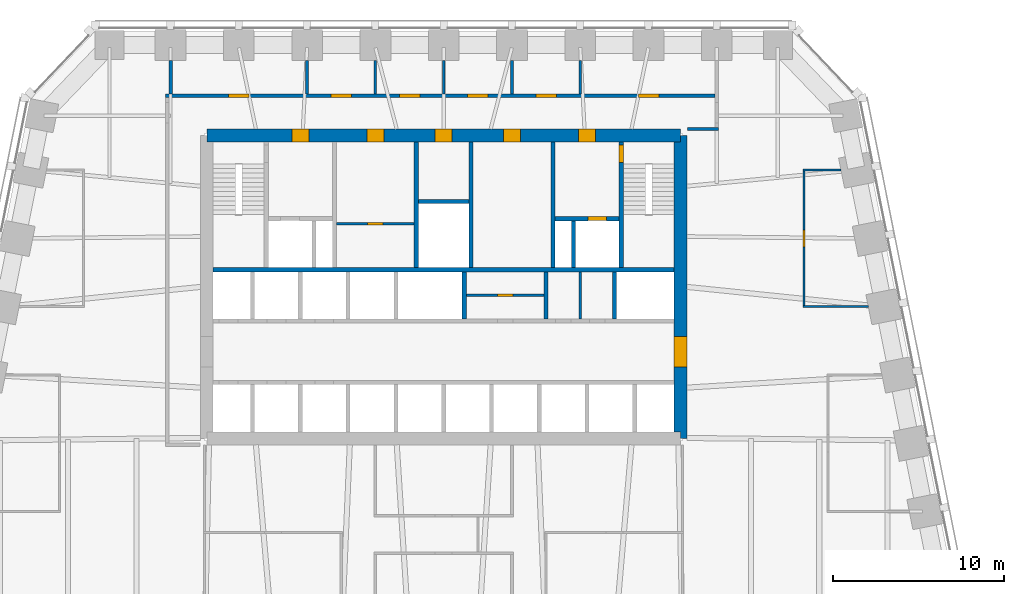
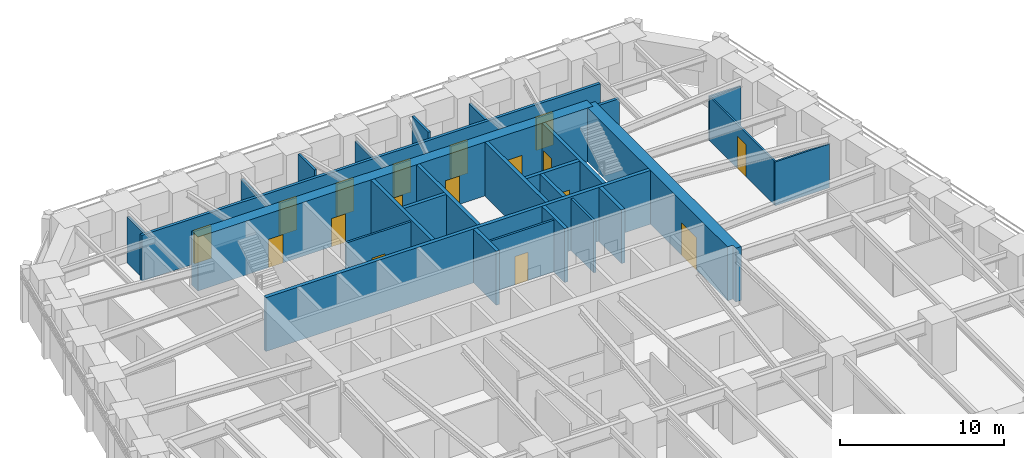
# One storey, part 7 of 10: 27 walls, 17 doors, 17 openings.
"""IFC4 building model written with IfcOpenShell, lengths in metres."""

from ifc_helpers import new_model, si_unit, direction, frame, frame_2d, origin, place, context, subcontext, project, spatial, polyline, rectangle, outline, extrude, material, layer, layer_set, type_object, element, fill, save


model = new_model("IFC4")

# Units and contexts
model_context = context("Model", 3, precision=1e-05, world=origin(), true_north=direction((0.0, 1.0)))
body_context = subcontext(model_context, "Body", "Model", "MODEL_VIEW")
ifc_project = project(units=[si_unit("LENGTHUNIT", "METRE"), si_unit("AREAUNIT", "SQUARE_METRE"), si_unit("VOLUMEUNIT", "CUBIC_METRE"), si_unit("PLANEANGLEUNIT", "RADIAN"), si_unit("MASSUNIT", "GRAM", prefix="KILO")], contexts=[model_context])

# Site, building, storey
site_placement = place(None, origin())
site = spatial("IfcSite", under=ifc_project, at=site_placement, CompositionType="ELEMENT")
building_placement = place(site_placement, origin())
building = spatial("IfcBuilding", under=site, at=building_placement, Name="Isbrekke Arena Tower", CompositionType="ELEMENT")
storey_placement = place(building_placement, frame((0.0, 0.0, 147.0)))
storey = spatial("IfcBuildingStorey", under=building, at=storey_placement, Name="L33", CompositionType="ELEMENT", Elevation=147.0)

# Wall, opening, door
ifc_material_1 = material(Name="Concrete B55 (C55/67)", Category="concrete")
ifc_layer_1 = layer(ifc_material_1, 0.75)
ifc_layer_set_1 = layer_set([ifc_layer_1], Name="CW3 CORE WALL 750")
wall_type_1 = type_object("IfcWallType", Name="CW3 CORE WALL 750", PredefinedType="SHEAR", material=ifc_layer_set_1)
wall_1_placement = place(storey_placement, frame((13.875, 6.125, 0.0), z_axis=(0.0, 0.0, 1.0), x_axis=(0.0, 1.0, 0.0)))
wall_1 = element("IfcWall", 1, at=wall_1_placement, inside=storey, type_object=wall_type_1, Name="Core wall E L33", PredefinedType="SHEAR", context=body_context, shape_type="SweptSolid", body=[
    extrude(outline(polyline([(0.0, -0.375), (17.75, -0.375), (17.75, 0.0), (17.375, 0.0), (17.375, 0.375), (0.375, 0.375), (0.375, 0.0), (0.0, 0.0), (0.0, -0.375)])), origin(), (0.0, 0.0, 1.0), 4.0),
])
opening_1_placement = place(wall_1_placement, frame((4.175048828125, 0.0, 0.0)))
opening_1 = element("IfcOpeningElement", 2, at=opening_1_placement, cuts=wall_1, Name="Opening D1", PredefinedType="OPENING", context=body_context, shape_type="SweptSolid", body=[
    extrude(rectangle(XDim=1.800048828125, YDim=2.39990234375, at=frame_2d((0.89990234375, 1.199951171875))), frame((0.0, 0.389892578125, 0.0), z_axis=(0.0, -1.0, 0.0), x_axis=(1.0, 0.0, 0.0)), (0.0, 0.0, 1.0), 0.77978515625),
])
ifc_material_2 = material(Name="Steel-framed glazed fire door", Category="steel")
door_type_1 = type_object("IfcDoorType", Name="D1 CORE LOBBY DOOR 1800 x 2400", OperationType="DOUBLE_DOOR_SINGLE_SWING", PredefinedType="DOOR", material=ifc_material_2)
door_1_placement = place(opening_1_placement, origin())
door_1 = element("IfcDoor", 3, at=door_1_placement, inside=storey, type_object=door_type_1, Name="D1 lift lobby door east L33", OperationType="DOUBLE_DOOR_SINGLE_SWING", OverallHeight=2.39990234375, OverallWidth=1.800048828125, PredefinedType="DOOR", context=body_context, shape_type="SweptSolid", body=[
    extrude(rectangle(XDim=1.800048828125, YDim=2.39990234375, at=frame_2d((0.89990234375, 1.199951171875))), frame((0.0, 0.374755859375, 0.0), z_axis=(0.0, -1.0, 0.0), x_axis=(1.0, 0.0, 0.0)), (0.0, 0.0, 1.0), 0.74951171875),
])
fill(opening_1, door_1)

# Wall, openings, doors
wall_2_placement = place(storey_placement, frame((13.875, 23.875, 0.0), z_axis=(0.0, 0.0, 1.0), x_axis=(-1.0, 0.0, 0.0)))
wall_2 = element("IfcWall", 4, at=wall_2_placement, inside=storey, type_object=wall_type_1, Name="Core wall N L33", PredefinedType="SHEAR", context=body_context, shape_type="SweptSolid", body=[
    extrude(rectangle(XDim=27.75, YDim=0.75, at=frame_2d((13.875, 0.0))), origin(), (0.0, 0.0, 1.0), 4.0),
])
opening_2_placement = place(wall_2_placement, frame((21.77490234375, 0.0, 0.0)))
opening_2 = element("IfcOpeningElement", 5, at=opening_2_placement, cuts=wall_2, Name="Opening D3", PredefinedType="OPENING", context=body_context, shape_type="SweptSolid", body=[
    extrude(rectangle(XDim=1.0, YDim=2.10009765625, at=frame_2d((0.5, 1.050048828125))), frame((0.0, 0.389892578125, 0.0), z_axis=(0.0, -1.0, 0.0), x_axis=(1.0, 0.0, 0.0)), (0.0, 0.0, 1.0), 0.77978515625),
])
opening_3_placement = place(wall_2_placement, frame((4.97509765625, 0.0, 0.0)))
opening_3 = element("IfcOpeningElement", 6, at=opening_3_placement, cuts=wall_2, Name="Opening D3", PredefinedType="OPENING", context=body_context, shape_type="SweptSolid", body=[
    extrude(rectangle(XDim=1.0, YDim=2.10009765625, at=frame_2d((0.5, 1.050048828125))), frame((0.0, 0.389892578125, 0.0), z_axis=(0.0, -1.0, 0.0), x_axis=(1.0, 0.0, 0.0)), (0.0, 0.0, 1.0), 0.77978515625),
])
opening_4_placement = place(wall_2_placement, frame((17.375, 0.0, 0.0)))
opening_4 = element("IfcOpeningElement", 7, at=opening_4_placement, cuts=wall_2, Name="Opening D4", PredefinedType="OPENING", context=body_context, shape_type="SweptSolid", body=[
    extrude(rectangle(XDim=1.0, YDim=2.10009765625, at=frame_2d((0.5, 1.050048828125))), frame((0.0, 0.389892578125, 0.0), z_axis=(0.0, -1.0, 0.0), x_axis=(1.0, 0.0, 0.0)), (0.0, 0.0, 1.0), 0.77978515625),
])
opening_5_placement = place(wall_2_placement, frame((13.375, 0.0, 0.0)))
opening_5 = element("IfcOpeningElement", 8, at=opening_5_placement, cuts=wall_2, Name="Opening D4", PredefinedType="OPENING", context=body_context, shape_type="SweptSolid", body=[
    extrude(rectangle(XDim=1.0, YDim=2.10009765625, at=frame_2d((0.5, 1.050048828125))), frame((0.0, 0.389892578125, 0.0), z_axis=(0.0, -1.0, 0.0), x_axis=(1.0, 0.0, 0.0)), (0.0, 0.0, 1.0), 0.77978515625),
])
opening_6_placement = place(wall_2_placement, frame((9.375, 0.0, 0.0)))
opening_6 = element("IfcOpeningElement", 9, at=opening_6_placement, cuts=wall_2, Name="Opening D4", PredefinedType="OPENING", context=body_context, shape_type="SweptSolid", body=[
    extrude(rectangle(XDim=1.0, YDim=2.10009765625, at=frame_2d((0.5, 1.050048828125))), frame((0.0, 0.389892578125, 0.0), z_axis=(0.0, -1.0, 0.0), x_axis=(1.0, 0.0, 0.0)), (0.0, 0.0, 1.0), 0.77978515625),
])
ifc_material_3 = material(Name="Steel fire door", Category="steel")
door_type_2 = type_object("IfcDoorType", Name="D3 FIRE LOBBY DOOR 1000 x 2100", OperationType="SINGLE_SWING_RIGHT", PredefinedType="DOOR", material=ifc_material_3)
door_2_placement = place(opening_2_placement, origin())
door_2 = element("IfcDoor", 10, at=door_2_placement, inside=storey, type_object=door_type_2, Name="D3 fire-fighting lobby door L33", OperationType="SINGLE_SWING_RIGHT", OverallHeight=2.10009765625, OverallWidth=1.0, PredefinedType="DOOR", context=body_context, shape_type="SweptSolid", body=[
    extrude(rectangle(XDim=1.0, YDim=2.10009765625, at=frame_2d((0.5, 1.050048828125))), frame((0.0, 0.374755859375, 0.0), z_axis=(0.0, -1.0, 0.0), x_axis=(1.0, 0.0, 0.0)), (0.0, 0.0, 1.0), 0.74951171875),
])
fill(opening_2, door_2)
door_3_placement = place(opening_3_placement, origin())
door_3 = element("IfcDoor", 11, at=door_3_placement, inside=storey, type_object=door_type_2, Name="D3 fire-fighting lobby door L33", OperationType="SINGLE_SWING_RIGHT", OverallHeight=2.10009765625, OverallWidth=1.0, PredefinedType="DOOR", context=body_context, shape_type="SweptSolid", body=[
    extrude(rectangle(XDim=1.0, YDim=2.10009765625, at=frame_2d((0.5, 1.050048828125))), frame((0.0, 0.374755859375, 0.0), z_axis=(0.0, -1.0, 0.0), x_axis=(1.0, 0.0, 0.0)), (0.0, 0.0, 1.0), 0.74951171875),
])
fill(opening_3, door_3)
ifc_material_4 = material(Name="Timber door", Category="wood")
door_type_3 = type_object("IfcDoorType", Name="D4 WC DOOR 1000 x 2100", OperationType="SINGLE_SWING_LEFT", PredefinedType="DOOR", material=ifc_material_4)
door_4_placement = place(opening_4_placement, origin())
door_4 = element("IfcDoor", 12, at=door_4_placement, inside=storey, type_object=door_type_3, Name="D4 wc female door L33", OperationType="SINGLE_SWING_LEFT", OverallHeight=2.10009765625, OverallWidth=1.0, PredefinedType="DOOR", context=body_context, shape_type="SweptSolid", body=[
    extrude(rectangle(XDim=1.0, YDim=2.10009765625, at=frame_2d((0.5, 1.050048828125))), frame((0.0, 0.374755859375, 0.0), z_axis=(0.0, -1.0, 0.0), x_axis=(1.0, 0.0, 0.0)), (0.0, 0.0, 1.0), 0.74951171875),
])
fill(opening_4, door_4)
door_5_placement = place(opening_5_placement, origin())
door_5 = element("IfcDoor", 13, at=door_5_placement, inside=storey, type_object=door_type_3, Name="D4 accessible wc door L33", OperationType="SINGLE_SWING_LEFT", OverallHeight=2.10009765625, OverallWidth=1.0, PredefinedType="DOOR", context=body_context, shape_type="SweptSolid", body=[
    extrude(rectangle(XDim=1.0, YDim=2.10009765625, at=frame_2d((0.5, 1.050048828125))), frame((0.0, 0.374755859375, 0.0), z_axis=(0.0, -1.0, 0.0), x_axis=(1.0, 0.0, 0.0)), (0.0, 0.0, 1.0), 0.74951171875),
])
fill(opening_5, door_5)
door_6_placement = place(opening_6_placement, origin())
door_6 = element("IfcDoor", 14, at=door_6_placement, inside=storey, type_object=door_type_3, Name="D4 wc male door L33", OperationType="SINGLE_SWING_LEFT", OverallHeight=2.10009765625, OverallWidth=1.0, PredefinedType="DOOR", context=body_context, shape_type="SweptSolid", body=[
    extrude(rectangle(XDim=1.0, YDim=2.10009765625, at=frame_2d((0.5, 1.050048828125))), frame((0.0, 0.374755859375, 0.0), z_axis=(0.0, -1.0, 0.0), x_axis=(1.0, 0.0, 0.0)), (0.0, 0.0, 1.0), 0.74951171875),
])
fill(opening_6, door_6)

# Walls
ifc_material_5 = material(Name="Concrete B45 (C45/55)", Category="concrete")
ifc_layer_2 = layer(ifc_material_5, 0.25)
ifc_layer_set_2 = layer_set([ifc_layer_2], Name="CW6 SHAFT WALL 250")
wall_type_2 = type_object("IfcWallType", Name="CW6 SHAFT WALL 250", PredefinedType="SHEAR", material=ifc_layer_set_2)
wall_3_placement = place(storey_placement, frame((-13.5, 16.0, 0.0), z_axis=(0.0, 0.0, 1.0), x_axis=(1.0, 0.0, 0.0)))
element("IfcWall", 15, at=wall_3_placement, inside=storey, type_object=wall_type_2, Name="Core wall NB L33", PredefinedType="SHEAR", context=body_context, shape_type="SweptSolid", body=[
    extrude(rectangle(XDim=27.0, YDim=0.25, at=frame_2d((13.5, 0.0))), origin(), (0.0, 0.0, 1.0), 4.0),
])
for number, where, z_axis, x_axis, name in (
    (16, (1.199951171875, 13.125, 0.0), (0.0, 0.0, 1.0), (0.0, 1.0, 0.0), "Core wall SN05 L33"),
    (17, (6.0, 13.125, 0.0), (0.0, 0.0, 1.0), (0.0, 1.0, 0.0), "Core wall SN06 L33"),
    (18, (10.0, 13.125, 0.0), (0.0, 0.0, 1.0), (0.0, 1.0, 0.0), "Core wall SN07 L33"),
):
    element("IfcWall", number, at=place(storey_placement, frame(where, z_axis=z_axis, x_axis=x_axis)), inside=storey, type_object=wall_type_2, Name=name, PredefinedType="SHEAR", context=body_context, shape_type="SweptSolid", body=[
        extrude(rectangle(XDim=2.75, YDim=0.25, at=frame_2d((1.375, 0.0))), origin(), (0.0, 0.0, 1.0), 4.0),
    ])
for number, where, z_axis, x_axis, name in (
    (19, (-1.60009765625, 16.125, 0.0), (0.0, 0.0, 1.0), (0.0, 1.0, 0.0), "Core wall NV03 L33"),
    (20, (1.60009765625, 16.125, 0.0), (0.0, 0.0, 1.0), (0.0, 1.0, 0.0), "Core wall NV04 L33"),
    (21, (6.39990234375, 16.125, 0.0), (0.0, 0.0, 1.0), (0.0, 1.0, 0.0), "Core wall NV05 L33"),
):
    element("IfcWall", number, at=place(storey_placement, frame(where, z_axis=z_axis, x_axis=x_axis)), inside=storey, type_object=wall_type_2, Name=name, PredefinedType="SHEAR", context=body_context, shape_type="SweptSolid", body=[
        extrude(rectangle(XDim=7.375, YDim=0.25, at=frame_2d((3.6875, 0.0))), origin(), (0.0, 0.0, 1.0), 4.0),
    ])

# Wall, opening, door
wall_4_placement = place(storey_placement, frame((10.39990234375, 16.125, 0.0), z_axis=(0.0, 0.0, 1.0), x_axis=(0.0, 1.0, 0.0)))
wall_4 = element("IfcWall", 22, at=wall_4_placement, inside=storey, type_object=wall_type_2, Name="Core wall NV06 L33", PredefinedType="SHEAR", context=body_context, shape_type="SweptSolid", body=[
    extrude(rectangle(XDim=7.375, YDim=0.25, at=frame_2d((3.6875, 0.0))), origin(), (0.0, 0.0, 1.0), 4.0),
])
opening_7_placement = place(wall_4_placement, frame((6.175048828125, 0.0, 0.0)))
opening_7 = element("IfcOpeningElement", 23, at=opening_7_placement, cuts=wall_4, Name="Opening D2", PredefinedType="OPENING", context=body_context, shape_type="SweptSolid", body=[
    extrude(rectangle(XDim=1.0, YDim=2.10009765625, at=frame_2d((0.5, 1.050048828125))), frame((0.0, 0.139892578125, 0.0), z_axis=(0.0, -1.0, 0.0), x_axis=(1.0, 0.0, 0.0)), (0.0, 0.0, 1.0), 0.27978515625),
])
ifc_material_6 = material(Name="Steel fire door", Category="steel")
door_type_4 = type_object("IfcDoorType", Name="D2 STAIR DOOR 1000 x 2100", OperationType="SINGLE_SWING_LEFT", PredefinedType="DOOR", material=ifc_material_6)
door_7_placement = place(opening_7_placement, origin())
door_7 = element("IfcDoor", 24, at=door_7_placement, inside=storey, type_object=door_type_4, Name="D2 stair door ST2 L33", OperationType="SINGLE_SWING_LEFT", OverallHeight=2.10009765625, OverallWidth=1.0, PredefinedType="DOOR", context=body_context, shape_type="SweptSolid", body=[
    extrude(rectangle(XDim=1.0, YDim=2.10009765625, at=frame_2d((0.5, 1.050048828125))), frame((0.0, 0.124755859375, 0.0), z_axis=(0.0, -1.0, 0.0), x_axis=(1.0, 0.0, 0.0)), (0.0, 0.0, 1.0), 0.24951171875),
])
fill(opening_7, door_7)

wall_5_placement = place(storey_placement, frame((6.52490234375, 19.0, 0.0), z_axis=(0.0, 0.0, 1.0), x_axis=(1.0, 0.0, 0.0)))
wall_5 = element("IfcWall", 25, at=wall_5_placement, inside=storey, type_object=wall_type_2, Name="Core wall NFE L33", PredefinedType="SHEAR", context=body_context, shape_type="SweptSolid", body=[
    extrude(rectangle(XDim=3.75, YDim=0.25, at=frame_2d((1.875, 0.0))), origin(), (0.0, 0.0, 1.0), 4.0),
])
opening_8_placement = place(wall_5_placement, frame((1.925048828125, 0.0, 0.0)))
opening_8 = element("IfcOpeningElement", 26, at=opening_8_placement, cuts=wall_5, Name="Opening LD2", PredefinedType="OPENING", context=body_context, shape_type="SweptSolid", body=[
    extrude(rectangle(XDim=1.10009765625, YDim=2.10009765625, at=frame_2d((0.550048828125, 1.050048828125))), frame((0.0, 0.139892578125, 0.0), z_axis=(0.0, -1.0, 0.0), x_axis=(1.0, 0.0, 0.0)), (0.0, 0.0, 1.0), 0.27978515625),
])
ifc_material_7 = material(Name="Stainless steel lift landing door", Category="steel")
door_type_5 = type_object("IfcDoorType", Name="LD2 FIRE-FIGHTING LIFT LANDING DOOR 1100 x 2100", OperationType="SLIDING_TO_RIGHT", PredefinedType="DOOR", material=ifc_material_7)
door_8_placement = place(opening_8_placement, origin())
door_8 = element("IfcDoor", 27, at=door_8_placement, inside=storey, type_object=door_type_5, Name="LD2 lift landing door LF L33", OperationType="SLIDING_TO_RIGHT", OverallHeight=2.10009765625, OverallWidth=1.10009765625, PredefinedType="DOOR", context=body_context, shape_type="SweptSolid", body=[
    extrude(rectangle(XDim=1.10009765625, YDim=2.10009765625, at=frame_2d((0.550048828125, 1.050048828125))), frame((0.0, 0.124755859375, 0.0), z_axis=(0.0, -1.0, 0.0), x_axis=(1.0, 0.0, 0.0)), (0.0, 0.0, 1.0), 0.24951171875),
])
fill(opening_8, door_8)

# Walls
wall_6_placement = place(storey_placement, frame((7.60009765625, 16.125, 0.0), z_axis=(0.0, 0.0, 1.0), x_axis=(0.0, 1.0, 0.0)))
element("IfcWall", 28, at=wall_6_placement, inside=storey, type_object=wall_type_2, Name="Core wall NFS2 L33", PredefinedType="SHEAR", context=body_context, shape_type="SweptSolid", body=[
    extrude(rectangle(XDim=2.75, YDim=0.25, at=frame_2d((1.375, 0.0))), origin(), (0.0, 0.0, 1.0), 4.0),
])
wall_7_placement = place(storey_placement, frame((-1.47509765625, 20.0, 0.0), z_axis=(0.0, 0.0, 1.0), x_axis=(1.0, 0.0, 0.0)))
element("IfcWall", 29, at=wall_7_placement, inside=storey, type_object=wall_type_2, Name="Core wall NWC L33", PredefinedType="SHEAR", context=body_context, shape_type="SweptSolid", body=[
    extrude(rectangle(XDim=2.9501953125, YDim=0.25, at=frame_2d((1.47509765625, 0.0))), origin(), (0.0, 0.0, 1.0), 4.0),
])
ifc_material_8 = material(Name="Gypsum board partition on steel studs", Category="steel")
ifc_layer_3 = layer(ifc_material_8, 0.14990234375)
ifc_layer_set_3 = layer_set([ifc_layer_3], Name="IW1 PARTITION 150")
wall_type_3 = type_object("IfcWallType", Name="IW1 PARTITION 150", PredefinedType="PARTITIONING", material=ifc_layer_set_3)
wall_8_placement = place(storey_placement, frame((-4.0, 26.300048828125, 0.0), z_axis=(0.0, 0.0, 1.0), x_axis=(0.0, 1.0, 0.0)))
element("IfcWall", 30, at=wall_8_placement, inside=storey, type_object=wall_type_3, Name="IW1 partition 150 L33", PredefinedType="PARTITIONING", context=body_context, shape_type="SweptSolid", body=[
    extrude(rectangle(XDim=1.974853515625, YDim=0.14990234375, at=frame_2d((0.9873046875, 0.0))), origin(), (0.0, 0.0, 1.0), 3.85009765625),
])
wall_9_placement = place(storey_placement, frame((0.0, 26.300048828125, 0.0), z_axis=(0.0, 0.0, 1.0), x_axis=(0.0, 1.0, 0.0)))
element("IfcWall", 31, at=wall_9_placement, inside=storey, type_object=wall_type_3, Name="IW1 partition 150 L33", PredefinedType="PARTITIONING", context=body_context, shape_type="SweptSolid", body=[
    extrude(rectangle(XDim=1.974853515625, YDim=0.14990234375, at=frame_2d((0.9873046875, 0.0))), origin(), (0.0, 0.0, 1.0), 3.39990234375),
])
ifc_material_9 = material(Name="Frameless glazed partition, laminated acoustic glass", Category="glass")
ifc_layer_4 = layer(ifc_material_9, 0.1201171875)
ifc_layer_set_4 = layer_set([ifc_layer_4], Name="IW2 GLAZED PARTITION 120")
wall_type_4 = type_object("IfcWallType", Name="IW2 GLAZED PARTITION 120", PredefinedType="PARTITIONING", material=ifc_layer_set_4)
wall_10_placement = place(storey_placement, frame((21.0400390625, 13.840087890625, 0.0), z_axis=(0.0, 0.0, 1.0), x_axis=(1.0, 0.0, 0.0)))
element("IfcWall", 32, at=wall_10_placement, inside=storey, type_object=wall_type_4, Name="IW2 glazed partition 120 L33", PredefinedType="PARTITIONING", context=body_context, shape_type="SweptSolid", body=[
    extrude(rectangle(XDim=3.832763671875, YDim=0.1201171875, at=frame_2d((1.91650390625, 0.0))), origin(), (0.0, 0.0, 1.0), 3.25),
])
wall_11_placement = place(storey_placement, frame((21.0400390625, 21.840087890625, 0.0), z_axis=(0.0, 0.0, 1.0), x_axis=(1.0, 0.0, 0.0)))
element("IfcWall", 33, at=wall_11_placement, inside=storey, type_object=wall_type_4, Name="IW2 glazed partition 120 L33", PredefinedType="PARTITIONING", context=body_context, shape_type="SweptSolid", body=[
    extrude(rectangle(XDim=2.232666015625, YDim=0.1201171875, at=frame_2d((1.1162109375, 0.0))), origin(), (0.0, 0.0, 1.0), 3.25),
])

# Wall, opening, door
wall_12_placement = place(storey_placement, frame((21.10009765625, 13.89990234375, 0.0), z_axis=(0.0, 0.0, 1.0), x_axis=(0.0, 1.0, 0.0)))
wall_12 = element("IfcWall", 34, at=wall_12_placement, inside=storey, type_object=wall_type_4, Name="IW2 glazed partition 120 L33", PredefinedType="PARTITIONING", context=body_context, shape_type="SweptSolid", body=[
    extrude(rectangle(XDim=7.880126953125, YDim=0.1201171875, at=frame_2d((3.93994140625, 0.0))), origin(), (0.0, 0.0, 1.0), 3.25),
])
opening_9_placement = place(wall_12_placement, frame((3.43994140625, 0.0, 0.0)))
opening_9 = element("IfcOpeningElement", 35, at=opening_9_placement, cuts=wall_12, Name="Opening D11", PredefinedType="OPENING", context=body_context, shape_type="SweptSolid", body=[
    extrude(rectangle(XDim=1.0, YDim=2.39990234375, at=frame_2d((0.5, 1.199951171875))), frame((0.0, 0.074951171875, 0.0), z_axis=(0.0, -1.0, 0.0), x_axis=(1.0, 0.0, 0.0)), (0.0, 0.0, 1.0), 0.14990234375),
])
ifc_material_10 = material(Name="Frameless glazed door", Category="glass")
door_type_6 = type_object("IfcDoorType", Name="D11 GLAZED MEETING ROOM DOOR 1000 x 2400", OperationType="SINGLE_SWING_RIGHT", PredefinedType="DOOR", material=ifc_material_10)
door_9_placement = place(opening_9_placement, origin())
door_9 = element("IfcDoor", 36, at=door_9_placement, inside=storey, type_object=door_type_6, Name="D11 project room door L33", OperationType="SINGLE_SWING_RIGHT", OverallHeight=2.39990234375, OverallWidth=1.0, PredefinedType="DOOR", context=body_context, shape_type="SweptSolid", body=[
    extrude(rectangle(XDim=1.0, YDim=2.39990234375, at=frame_2d((0.5, 1.199951171875))), frame((0.0, 0.059814453125, 0.0), z_axis=(0.0, -1.0, 0.0), x_axis=(1.0, 0.0, 0.0)), (0.0, 0.0, 1.0), 0.11962890625),
])
fill(opening_9, door_9)

# Wall
ifc_material_11 = material(Name="Gypsum board fire-cell wall on steel studs, two layers each side", Category="steel")
ifc_layer_5 = layer(ifc_material_11, 0.199951171875)
ifc_layer_set_5 = layer_set([ifc_layer_5], Name="IW3 FIRE-CELL WALL 200")
wall_type_5 = type_object("IfcWallType", Name="IW3 FIRE-CELL WALL 200", PredefinedType="PARTITIONING", material=ifc_layer_set_5)
wall_13_placement = place(storey_placement, frame((14.280029296875, 24.25, 0.0), z_axis=(0.0, 0.0, 1.0), x_axis=(1.0, 0.0, 0.0)))
element("IfcWall", 37, at=wall_13_placement, inside=storey, type_object=wall_type_5, Name="IW3 fire-cell wall 200 L33", PredefinedType="PARTITIONING", context=body_context, shape_type="SweptSolid", body=[
    extrude(rectangle(XDim=1.820068359375, YDim=0.199951171875, at=frame_2d((0.91015625, 0.0))), origin(), (0.0, 0.0, 1.0), 3.39990234375),
])

# Wall, openings, doors
wall_14_placement = place(storey_placement, frame((-16.300048828125, 26.199951171875, 0.0), z_axis=(0.0, 0.0, 1.0), x_axis=(1.0, 0.0, 0.0)))
wall_14 = element("IfcWall", 38, at=wall_14_placement, inside=storey, type_object=wall_type_5, Name="IW3 fire-cell wall 200 L33", PredefinedType="PARTITIONING", context=body_context, shape_type="SweptSolid", body=[
    extrude(rectangle(XDim=32.199951171875, YDim=0.199951171875, at=frame_2d((16.10009765625, 0.0))), origin(), (0.0, 0.0, 1.0), 3.39990234375),
])
opening_10_placement = place(wall_14_placement, frame((3.699951171875, 0.0, 0.0)))
opening_10 = element("IfcOpeningElement", 39, at=opening_10_placement, cuts=wall_14, Name="Opening D12", PredefinedType="OPENING", context=body_context, shape_type="SweptSolid", body=[
    extrude(rectangle(XDim=1.199951171875, YDim=2.39990234375, at=frame_2d((0.60009765625, 1.199951171875))), frame((0.0, 0.11474609375, 0.0), z_axis=(0.0, -1.0, 0.0), x_axis=(1.0, 0.0, 0.0)), (0.0, 0.0, 1.0), 0.229736328125),
])
opening_11_placement = place(wall_14_placement, frame((9.699951171875, 0.0, 0.0)))
opening_11 = element("IfcOpeningElement", 40, at=opening_11_placement, cuts=wall_14, Name="Opening D12", PredefinedType="OPENING", context=body_context, shape_type="SweptSolid", body=[
    extrude(rectangle(XDim=1.199951171875, YDim=2.39990234375, at=frame_2d((0.60009765625, 1.199951171875))), frame((0.0, 0.11474609375, 0.0), z_axis=(0.0, -1.0, 0.0), x_axis=(1.0, 0.0, 0.0)), (0.0, 0.0, 1.0), 0.229736328125),
])
opening_12_placement = place(wall_14_placement, frame((13.699951171875, 0.0, 0.0)))
opening_12 = element("IfcOpeningElement", 41, at=opening_12_placement, cuts=wall_14, Name="Opening D12", PredefinedType="OPENING", context=body_context, shape_type="SweptSolid", body=[
    extrude(rectangle(XDim=1.199951171875, YDim=2.39990234375, at=frame_2d((0.60009765625, 1.199951171875))), frame((0.0, 0.11474609375, 0.0), z_axis=(0.0, -1.0, 0.0), x_axis=(1.0, 0.0, 0.0)), (0.0, 0.0, 1.0), 0.229736328125),
])
opening_13_placement = place(wall_14_placement, frame((17.699951171875, 0.0, 0.0)))
opening_13 = element("IfcOpeningElement", 42, at=opening_13_placement, cuts=wall_14, Name="Opening D12", PredefinedType="OPENING", context=body_context, shape_type="SweptSolid", body=[
    extrude(rectangle(XDim=1.199951171875, YDim=2.39990234375, at=frame_2d((0.60009765625, 1.199951171875))), frame((0.0, 0.11474609375, 0.0), z_axis=(0.0, -1.0, 0.0), x_axis=(1.0, 0.0, 0.0)), (0.0, 0.0, 1.0), 0.229736328125),
])
opening_14_placement = place(wall_14_placement, frame((21.699951171875, 0.0, 0.0)))
opening_14 = element("IfcOpeningElement", 43, at=opening_14_placement, cuts=wall_14, Name="Opening D12", PredefinedType="OPENING", context=body_context, shape_type="SweptSolid", body=[
    extrude(rectangle(XDim=1.199951171875, YDim=2.39990234375, at=frame_2d((0.60009765625, 1.199951171875))), frame((0.0, 0.11474609375, 0.0), z_axis=(0.0, -1.0, 0.0), x_axis=(1.0, 0.0, 0.0)), (0.0, 0.0, 1.0), 0.229736328125),
])
opening_15_placement = place(wall_14_placement, frame((27.699951171875, 0.0, 0.0)))
opening_15 = element("IfcOpeningElement", 44, at=opening_15_placement, cuts=wall_14, Name="Opening D12", PredefinedType="OPENING", context=body_context, shape_type="SweptSolid", body=[
    extrude(rectangle(XDim=1.199951171875, YDim=2.39990234375, at=frame_2d((0.60009765625, 1.199951171875))), frame((0.0, 0.11474609375, 0.0), z_axis=(0.0, -1.0, 0.0), x_axis=(1.0, 0.0, 0.0)), (0.0, 0.0, 1.0), 0.229736328125),
])
ifc_material_12 = material(Name="Timber fire door with vision panel", Category="wood")
door_type_7 = type_object("IfcDoorType", Name="D12 SUITE ENTRANCE DOOR 1200 x 2400", OperationType="SINGLE_SWING_LEFT", PredefinedType="DOOR", material=ifc_material_12)
door_10_placement = place(opening_10_placement, origin())
door_10 = element("IfcDoor", 45, at=door_10_placement, inside=storey, type_object=door_type_7, Name="D12 project room door L33", OperationType="SINGLE_SWING_LEFT", OverallHeight=2.39990234375, OverallWidth=1.199951171875, PredefinedType="DOOR", context=body_context, shape_type="SweptSolid", body=[
    extrude(rectangle(XDim=1.199951171875, YDim=2.39990234375, at=frame_2d((0.60009765625, 1.199951171875))), frame((0.0, 0.099609375, 0.0), z_axis=(0.0, -1.0, 0.0), x_axis=(1.0, 0.0, 0.0)), (0.0, 0.0, 1.0), 0.199462890625),
])
fill(opening_10, door_10)
door_11_placement = place(opening_11_placement, origin())
door_11 = element("IfcDoor", 46, at=door_11_placement, inside=storey, type_object=door_type_7, Name="D12 focus room door L33", OperationType="SINGLE_SWING_LEFT", OverallHeight=2.39990234375, OverallWidth=1.199951171875, PredefinedType="DOOR", context=body_context, shape_type="SweptSolid", body=[
    extrude(rectangle(XDim=1.199951171875, YDim=2.39990234375, at=frame_2d((0.60009765625, 1.199951171875))), frame((0.0, 0.099609375, 0.0), z_axis=(0.0, -1.0, 0.0), x_axis=(1.0, 0.0, 0.0)), (0.0, 0.0, 1.0), 0.199462890625),
])
fill(opening_11, door_11)
door_12_placement = place(opening_12_placement, origin())
door_12 = element("IfcDoor", 47, at=door_12_placement, inside=storey, type_object=door_type_7, Name="D12 store door L33", OperationType="SINGLE_SWING_LEFT", OverallHeight=2.39990234375, OverallWidth=1.199951171875, PredefinedType="DOOR", context=body_context, shape_type="SweptSolid", body=[
    extrude(rectangle(XDim=1.199951171875, YDim=2.39990234375, at=frame_2d((0.60009765625, 1.199951171875))), frame((0.0, 0.099609375, 0.0), z_axis=(0.0, -1.0, 0.0), x_axis=(1.0, 0.0, 0.0)), (0.0, 0.0, 1.0), 0.199462890625),
])
fill(opening_12, door_12)
door_13_placement = place(opening_13_placement, origin())
door_13 = element("IfcDoor", 48, at=door_13_placement, inside=storey, type_object=door_type_7, Name="D12 focus room door L33", OperationType="SINGLE_SWING_LEFT", OverallHeight=2.39990234375, OverallWidth=1.199951171875, PredefinedType="DOOR", context=body_context, shape_type="SweptSolid", body=[
    extrude(rectangle(XDim=1.199951171875, YDim=2.39990234375, at=frame_2d((0.60009765625, 1.199951171875))), frame((0.0, 0.099609375, 0.0), z_axis=(0.0, -1.0, 0.0), x_axis=(1.0, 0.0, 0.0)), (0.0, 0.0, 1.0), 0.199462890625),
])
fill(opening_13, door_13)
door_14_placement = place(opening_14_placement, origin())
door_14 = element("IfcDoor", 49, at=door_14_placement, inside=storey, type_object=door_type_7, Name="D12 meeting room door L33", OperationType="SINGLE_SWING_LEFT", OverallHeight=2.39990234375, OverallWidth=1.199951171875, PredefinedType="DOOR", context=body_context, shape_type="SweptSolid", body=[
    extrude(rectangle(XDim=1.199951171875, YDim=2.39990234375, at=frame_2d((0.60009765625, 1.199951171875))), frame((0.0, 0.099609375, 0.0), z_axis=(0.0, -1.0, 0.0), x_axis=(1.0, 0.0, 0.0)), (0.0, 0.0, 1.0), 0.199462890625),
])
fill(opening_14, door_14)
door_15_placement = place(opening_15_placement, origin())
door_15 = element("IfcDoor", 50, at=door_15_placement, inside=storey, type_object=door_type_7, Name="D12 project room door L33", OperationType="SINGLE_SWING_LEFT", OverallHeight=2.39990234375, OverallWidth=1.199951171875, PredefinedType="DOOR", context=body_context, shape_type="SweptSolid", body=[
    extrude(rectangle(XDim=1.199951171875, YDim=2.39990234375, at=frame_2d((0.60009765625, 1.199951171875))), frame((0.0, 0.099609375, 0.0), z_axis=(0.0, -1.0, 0.0), x_axis=(1.0, 0.0, 0.0)), (0.0, 0.0, 1.0), 0.199462890625),
])
fill(opening_15, door_15)

# Walls
wall_15_placement = place(storey_placement, frame((-16.0, 26.300048828125, 0.0), z_axis=(0.0, 0.0, 1.0), x_axis=(0.0, 1.0, 0.0)))
element("IfcWall", 51, at=wall_15_placement, inside=storey, type_object=wall_type_5, Name="IW3 fire-cell wall 200 L33", PredefinedType="PARTITIONING", context=body_context, shape_type="SweptSolid", body=[
    extrude(rectangle(XDim=1.974853515625, YDim=0.199951171875, at=frame_2d((0.9873046875, 0.0))), origin(), (0.0, 0.0, 1.0), 3.39990234375),
])
ifc_material_13 = material(Name="Gypsum board acoustic partition on twin steel studs", Category="steel")
ifc_layer_6 = layer(ifc_material_13, 0.175048828125)
ifc_layer_set_6 = layer_set([ifc_layer_6], Name="IW4 ACOUSTIC PARTITION 175")
wall_type_6 = type_object("IfcWallType", Name="IW4 ACOUSTIC PARTITION 175", PredefinedType="PARTITIONING", material=ifc_layer_set_6)
wall_16_placement = place(storey_placement, frame((-8.0, 26.300048828125, 0.0), z_axis=(0.0, 0.0, 1.0), x_axis=(0.0, 1.0, 0.0)))
element("IfcWall", 52, at=wall_16_placement, inside=storey, type_object=wall_type_6, Name="IW4 acoustic partition 175 L33", PredefinedType="PARTITIONING", context=body_context, shape_type="SweptSolid", body=[
    extrude(rectangle(XDim=1.974853515625, YDim=0.175048828125, at=frame_2d((0.9873046875, 0.0))), origin(), (0.0, 0.0, 1.0), 3.39990234375),
])
wall_17_placement = place(storey_placement, frame((4.0, 26.300048828125, 0.0), z_axis=(0.0, 0.0, 1.0), x_axis=(0.0, 1.0, 0.0)))
element("IfcWall", 53, at=wall_17_placement, inside=storey, type_object=wall_type_6, Name="IW4 acoustic partition 175 L33", PredefinedType="PARTITIONING", context=body_context, shape_type="SweptSolid", body=[
    extrude(rectangle(XDim=1.974853515625, YDim=0.175048828125, at=frame_2d((0.9873046875, 0.0))), origin(), (0.0, 0.0, 1.0), 3.85009765625),
])
wall_18_placement = place(storey_placement, frame((8.0, 26.300048828125, 0.0), z_axis=(0.0, 0.0, 1.0), x_axis=(0.0, 1.0, 0.0)))
element("IfcWall", 54, at=wall_18_placement, inside=storey, type_object=wall_type_6, Name="IW4 acoustic partition 175 L33", PredefinedType="PARTITIONING", context=body_context, shape_type="SweptSolid", body=[
    extrude(rectangle(XDim=1.974853515625, YDim=0.175048828125, at=frame_2d((0.9873046875, 0.0))), origin(), (0.0, 0.0, 1.0), 3.39990234375),
])

# Wall, opening, door
ifc_material_14 = material(Name="Gypsum board fire-rated partition on steel studs, two layers each side", Category="steel")
ifc_layer_7 = layer(ifc_material_14, 0.14990234375)
ifc_layer_set_7 = layer_set([ifc_layer_7], Name="IW5 FIRE-RATED PARTITION 150")
wall_type_7 = type_object("IfcWallType", Name="IW5 FIRE-RATED PARTITION 150", PredefinedType="PARTITIONING", material=ifc_layer_set_7)
wall_19_placement = place(storey_placement, frame((-6.27490234375, 18.699951171875, 0.0), z_axis=(0.0, 0.0, 1.0), x_axis=(1.0, 0.0, 0.0)))
wall_19 = element("IfcWall", 55, at=wall_19_placement, inside=storey, type_object=wall_type_7, Name="IW5 fire-rated partition L33 cleaner's store F", PredefinedType="PARTITIONING", context=body_context, shape_type="SweptSolid", body=[
    extrude(rectangle(XDim=4.5498046875, YDim=0.14990234375, at=frame_2d((2.27490234375, 0.0))), origin(), (0.0, 0.0, 1.0), 3.85009765625),
])
opening_16_placement = place(wall_19_placement, frame((1.824951171875, 0.0, 0.0)))
opening_16 = element("IfcOpeningElement", 56, at=opening_16_placement, cuts=wall_19, Name="Opening D5", PredefinedType="OPENING", context=body_context, shape_type="SweptSolid", body=[
    extrude(rectangle(XDim=0.89990234375, YDim=2.10009765625, at=frame_2d((0.449951171875, 1.050048828125))), frame((0.0, 0.08984375, 0.0), z_axis=(0.0, -1.0, 0.0), x_axis=(1.0, 0.0, 0.0)), (0.0, 0.0, 1.0), 0.1796875),
])
ifc_material_15 = material(Name="Steel fire door", Category="steel")
door_type_8 = type_object("IfcDoorType", Name="D5 SERVICE DOOR 900 x 2100", OperationType="SINGLE_SWING_LEFT", PredefinedType="DOOR", material=ifc_material_15)
door_16_placement = place(opening_16_placement, origin())
door_16 = element("IfcDoor", 57, at=door_16_placement, inside=storey, type_object=door_type_8, Name="D5 cleaner's store door L33", OperationType="SINGLE_SWING_LEFT", OverallHeight=2.10009765625, OverallWidth=0.89990234375, PredefinedType="DOOR", context=body_context, shape_type="SweptSolid", body=[
    extrude(rectangle(XDim=0.89990234375, YDim=2.10009765625, at=frame_2d((0.449951171875, 1.050048828125))), frame((0.0, 0.07470703125, 0.0), z_axis=(0.0, -1.0, 0.0), x_axis=(1.0, 0.0, 0.0)), (0.0, 0.0, 1.0), 0.1494140625),
])
fill(opening_16, door_16)

wall_20_placement = place(storey_placement, frame((1.324951171875, 14.5, 0.0), z_axis=(0.0, 0.0, 1.0), x_axis=(1.0, 0.0, 0.0)))
wall_20 = element("IfcWall", 58, at=wall_20_placement, inside=storey, type_object=wall_type_7, Name="IW5 fire-rated partition L33 core service rooms 1", PredefinedType="PARTITIONING", context=body_context, shape_type="SweptSolid", body=[
    extrude(rectangle(XDim=4.550048828125, YDim=0.14990234375, at=frame_2d((2.27490234375, 0.0))), origin(), (0.0, 0.0, 1.0), 3.85009765625),
])
opening_17_placement = place(wall_20_placement, frame((1.824951171875, 0.0, 0.0)))
opening_17 = element("IfcOpeningElement", 59, at=opening_17_placement, cuts=wall_20, Name="Opening D5", PredefinedType="OPENING", context=body_context, shape_type="SweptSolid", body=[
    extrude(rectangle(XDim=0.89990234375, YDim=2.10009765625, at=frame_2d((0.449951171875, 1.050048828125))), frame((0.0, 0.08984375, 0.0), z_axis=(0.0, -1.0, 0.0), x_axis=(1.0, 0.0, 0.0)), (0.0, 0.0, 1.0), 0.1796875),
])
door_17_placement = place(opening_17_placement, origin())
door_17 = element("IfcDoor", 60, at=door_17_placement, inside=storey, type_object=door_type_8, Name="D5 store door L33", OperationType="SINGLE_SWING_LEFT", OverallHeight=2.10009765625, OverallWidth=0.89990234375, PredefinedType="DOOR", context=body_context, shape_type="SweptSolid", body=[
    extrude(rectangle(XDim=0.89990234375, YDim=2.10009765625, at=frame_2d((0.449951171875, 1.050048828125))), frame((0.0, 0.07470703125, 0.0), z_axis=(0.0, -1.0, 0.0), x_axis=(1.0, 0.0, 0.0)), (0.0, 0.0, 1.0), 0.1494140625),
])
fill(opening_17, door_17)

# Wall
wall_21_placement = place(storey_placement, frame((8.0, 13.125, 0.0), z_axis=(0.0, 0.0, 1.0), x_axis=(0.0, 1.0, 0.0)))
element("IfcWall", 61, at=wall_21_placement, inside=storey, type_object=wall_type_7, Name="IW5 fire-rated partition L33 core service rooms 2", PredefinedType="PARTITIONING", context=body_context, shape_type="SweptSolid", body=[
    extrude(rectangle(XDim=2.75, YDim=0.14990234375, at=frame_2d((1.375, 0.0))), origin(), (0.0, 0.0, 1.0), 3.85009765625),
])

save(model, "model.ifc")
